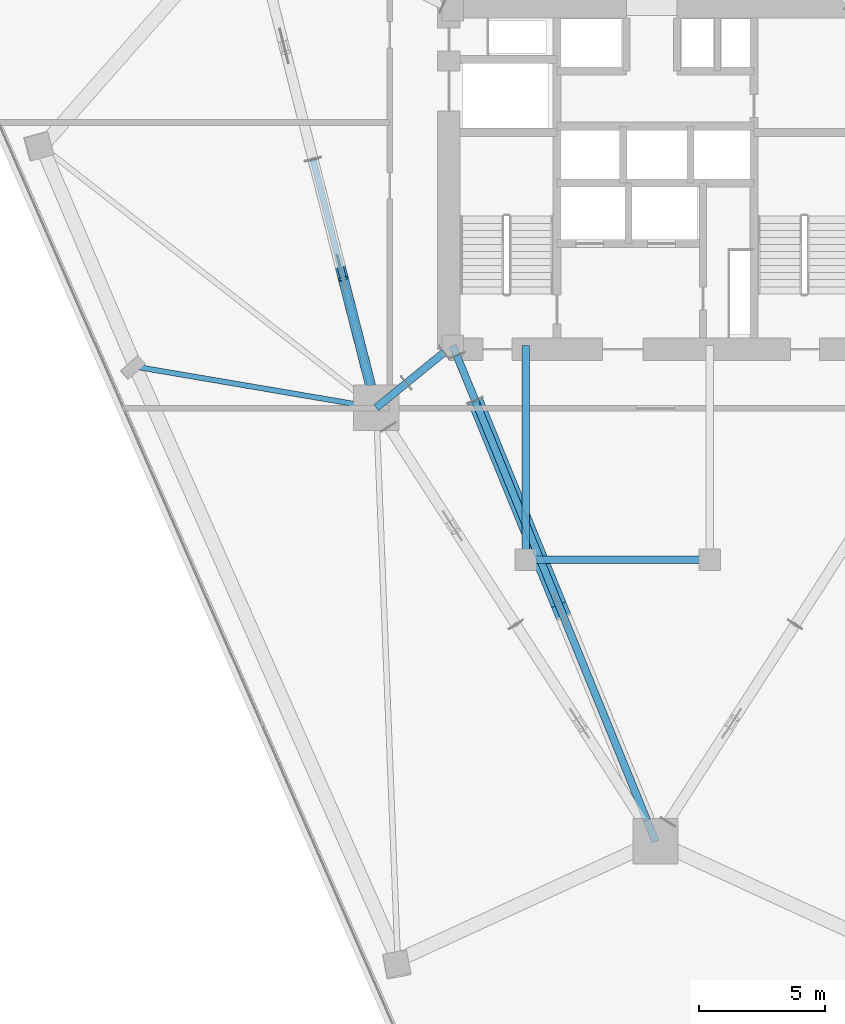
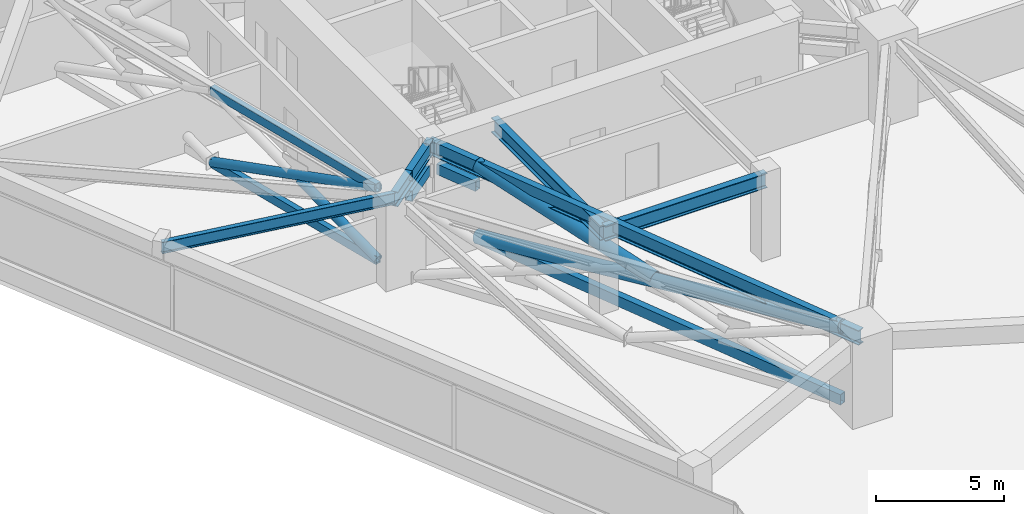
# One storey, part 7 of 20: 12 members, 5 beams.
"""IFC4 building model written with IfcOpenShell, lengths in metres."""

from ifc_helpers import new_model, si_unit, direction, frame, origin, origin_2d, place, context, subcontext, project, spatial, hollow_rectangle, hollow_circle, i_section, extrude, material, material_profile, profile_set, type_object, element, save


model = new_model("IFC4")

# Units and contexts
model_context = context("Model", 3, precision=1e-05, world=origin(), true_north=direction((0.0, 1.0)))
body_context = subcontext(model_context, "Body", "Model", "MODEL_VIEW")
ifc_project = project(units=[si_unit("LENGTHUNIT", "METRE"), si_unit("AREAUNIT", "SQUARE_METRE"), si_unit("VOLUMEUNIT", "CUBIC_METRE"), si_unit("PLANEANGLEUNIT", "RADIAN"), si_unit("MASSUNIT", "GRAM", prefix="KILO")], contexts=[model_context])

# Site, building, storey
site_placement = place(None, origin())
site = spatial("IfcSite", under=ifc_project, at=site_placement, CompositionType="ELEMENT")
building_placement = place(site_placement, origin())
building = spatial("IfcBuilding", under=site, at=building_placement, Name="Talyreon Biosciences Tower", CompositionType="ELEMENT")
storey_placement = place(building_placement, frame((0.0, 0.0, 70.800048828125)))
storey = spatial("IfcBuildingStorey", under=building, at=storey_placement, Name="L18", CompositionType="ELEMENT", Elevation=70.800048828125)

# Members
ifc_material = material(Name="Steel SM355", Category="steel")
ifc_material_profile_1 = material_profile(ifc_material, hollow_circle(Radius=0.203125, WallThickness=0.01611328125, at=origin_2d()), Name="CHS 406.4x16")
ifc_profile_set_1 = profile_set([ifc_material_profile_1], Name="Steel SM355")
member_type_1 = type_object("IfcMemberType", Name="BeltBrace_CHS406", PredefinedType="BRACE", material=ifc_profile_set_1)
member_1_placement = place(storey_placement, frame((52.40576171875, 68.739501953125, 0.239990234375), z_axis=(0.23115197416, -0.908668937551, 0.347691712255), x_axis=(0.969134278925, 0.246533465097, 0.0)))
element("IfcMember", 1, at=member_1_placement, inside=storey, type_object=member_type_1, Name="L18 Continuous Diagonal BELT-L18-B5S2A", PredefinedType="BRACE", context=body_context, shape_type="SweptSolid", body=[
    extrude(hollow_circle(Radius=0.203125, WallThickness=0.01611328125, at=origin_2d()), origin(), (0.0, 0.0, 1.0), 9.879638671875),
])
member_2_placement = place(storey_placement, frame((54.689453125, 59.76220703125, 0.239990234375), z_axis=(-0.231151139103, 0.90867755136, 0.347669755006), x_axis=(-0.969135050079, -0.246530433634, 0.0)))
element("IfcMember", 2, at=member_2_placement, inside=storey, type_object=member_type_1, Name="L18 Split Diagonal BELT-L18-B5S2B-Lower", PredefinedType="BRACE", context=body_context, shape_type="SweptSolid", body=[
    extrude(hollow_circle(Radius=0.203125, WallThickness=0.01611328125, at=origin_2d()), origin(), (0.0, 0.0, 1.0), 4.659912109375),
])
ifc_material_profile_2 = material_profile(ifc_material, hollow_rectangle(XDim=0.25, YDim=0.39990234375, WallThickness=0.01611328125, at=origin_2d()), Name="RHS 400x250x16")
ifc_profile_set_2 = profile_set([ifc_material_profile_2], Name="Steel SM355")
member_type_2 = type_object("IfcMemberType", Name="BeltChord_RHS400x250", PredefinedType="CHORD", material=ifc_profile_set_2)
for number, where, z_axis, x_axis, name in (
    (3, (52.40576171875, 68.739501953125, 0.239990234375), (0.246533465097, -0.969134278925, 0.0), (0.969134278925, 0.246533465097, 0.0), "L18 Truss Bottom Chord BELT-L18-B5S2"),
    (4, (52.40576171875, 68.739501953125, 3.675048828125), (0.246533465097, -0.969134278925, 0.0), (0.969134278925, 0.246533465097, 0.0), "L18 Truss Top Chord BELT-L18-B5S2"),
):
    element("IfcMember", number, at=place(storey_placement, frame(where, z_axis=z_axis, x_axis=x_axis)), inside=storey, type_object=member_type_2, Name=name, PredefinedType="CHORD", context=body_context, shape_type="SweptSolid", body=[
        extrude(hollow_rectangle(XDim=0.25, YDim=0.39990234375, WallThickness=0.01611328125, at=origin_2d()), origin(), (0.0, 0.0, 1.0), 9.26318359375),
    ])
ifc_material_profile_3 = material_profile(ifc_material, hollow_circle(Radius=0.304931640625, WallThickness=0.02490234375, at=origin_2d()), Name="CHS 610x25")
ifc_profile_set_3 = profile_set([ifc_material_profile_3], Name="Steel SM355")
member_type_3 = type_object("IfcMemberType", Name="OutriggerBrace_CHS610", PredefinedType="BRACE", material=ifc_profile_set_3)
member_3_placement = place(storey_placement, frame((58.839599609375, 59.1748046875, 0.239990234375), z_axis=(0.371840930759, -0.909184240114, 0.187398878708), x_axis=(0.925581942334, 0.378547312796, 0.0)))
element("IfcMember", 5, at=member_3_placement, inside=storey, type_object=member_type_3, Name="L18 Continuous Diagonal OUT-L18-R1A", PredefinedType="BRACE", context=body_context, shape_type="SweptSolid", body=[
    extrude(hollow_circle(Radius=0.304931640625, WallThickness=0.02490234375, at=origin_2d()), origin(), (0.0, 0.0, 1.0), 18.330078125),
])
member_4_placement = place(storey_placement, frame((62.1435546875, 51.0966796875, 2.010009765625), z_axis=(-0.37185444801, 0.909179042027, 0.18739727595), x_axis=(-0.925576362378, -0.378560955998, 0.0)))
element("IfcMember", 6, at=member_4_placement, inside=storey, type_object=member_type_3, Name="L18 Split Diagonal OUT-L18-R1B-Upper", PredefinedType="BRACE", context=body_context, shape_type="SweptSolid", body=[
    extrude(hollow_circle(Radius=0.304931640625, WallThickness=0.02490234375, at=origin_2d()), origin(), (0.0, 0.0, 1.0), 8.885009765625),
])
ifc_material_profile_4 = material_profile(ifc_material, hollow_rectangle(XDim=0.300048828125, YDim=0.5, WallThickness=0.02001953125, at=origin_2d()), Name="RHS 500x300x20")
ifc_profile_set_4 = profile_set([ifc_material_profile_4], Name="Steel SM355")
member_type_4 = type_object("IfcMemberType", Name="OutriggerChord_RHS500x300", PredefinedType="CHORD", material=ifc_profile_set_4)
for number, where, z_axis, x_axis, name in (
    (7, (58.11474609375, 60.947509765625, 3.675048828125), (0.378478965696, -0.925609892193, 0.0), (0.925609892193, 0.378478965696, 0.0), "L18 Outrigger Core Top Tie 1"),
    (8, (58.11474609375, 60.947509765625, 2.699951171875), (0.378478965696, -0.925609892193, 0.0), (0.925609892193, 0.378478965696, 0.0), "L18 Outrigger Core Plenum Tie 1"),
):
    element("IfcMember", number, at=place(storey_placement, frame(where, z_axis=z_axis, x_axis=x_axis)), inside=storey, type_object=member_type_4, Name=name, PredefinedType="CHORD", context=body_context, shape_type="SweptSolid", body=[
        extrude(hollow_rectangle(XDim=0.300048828125, YDim=0.5, WallThickness=0.02001953125, at=origin_2d()), origin(), (0.0, 0.0, 1.0), 1.915283203125),
    ])
for number, where, z_axis, x_axis, name in (
    (9, (58.839599609375, 59.1748046875, 0.239990234375), (0.378547312796, -0.925581942334, 0.0), (0.925581942334, 0.378547312796, 0.0), "L18 Truss Bottom Chord OUT-L18-R1"),
    (10, (58.839599609375, 59.1748046875, 3.675048828125), (0.378547312796, -0.925581942334, 0.0), (0.925581942334, 0.378547312796, 0.0), "L18 Truss Top Chord OUT-L18-R1"),
):
    element("IfcMember", number, at=place(storey_placement, frame(where, z_axis=z_axis, x_axis=x_axis)), inside=storey, type_object=member_type_4, Name=name, PredefinedType="CHORD", context=body_context, shape_type="SweptSolid", body=[
        extrude(hollow_rectangle(XDim=0.300048828125, YDim=0.5, WallThickness=0.02001953125, at=origin_2d()), origin(), (0.0, 0.0, 1.0), 18.00537109375),
    ])
for number, where, z_axis, x_axis, name in (
    (11, (57.612548828125, 61.075439453125, 3.675048828125), (-0.775805820068, -0.63097173435, 0.0), (0.63097173435, -0.775805820068, 0.0), "L18 Outrigger Core Top Tie 6"),
    (12, (57.612548828125, 61.075439453125, 2.699951171875), (-0.775805820068, -0.63097173435, 0.0), (0.63097173435, -0.775805820068, 0.0), "L18 Outrigger Core Plenum Tie 6"),
):
    element("IfcMember", number, at=place(storey_placement, frame(where, z_axis=z_axis, x_axis=x_axis)), inside=storey, type_object=member_type_4, Name=name, PredefinedType="CHORD", context=body_context, shape_type="SweptSolid", body=[
        extrude(hollow_rectangle(XDim=0.300048828125, YDim=0.5, WallThickness=0.02001953125, at=origin_2d()), origin(), (0.0, 0.0, 1.0), 1.914794921875),
    ])

# Beams
ifc_material_profile_5 = material_profile(ifc_material, i_section(OverallWidth=0.300048828125, OverallDepth=0.699951171875, WebThickness=0.01708984375, FlangeThickness=0.031982421875, FilletRadius=0.027099609375, at=origin_2d()), Name="HE700B")
ifc_profile_set_5 = profile_set([ifc_material_profile_5], Name="Steel SM355")
beam_type_1 = type_object("IfcBeamType", Name="SteelGirder_HE700B", PredefinedType="BEAM", material=ifc_profile_set_5)
beam_1_placement = place(storey_placement, frame((57.949951171875, 61.35009765625, 3.574951171875), z_axis=(0.378547014545, -0.925582064314, 0.0), x_axis=(0.925582064314, 0.378547014545, 0.0)))
element("IfcBeam", 13, at=beam_1_placement, inside=storey, type_object=beam_type_1, Name="L18 Radial Primary Girder 1", PredefinedType="BEAM", context=body_context, shape_type="SweptSolid", body=[
    extrude(i_section(OverallWidth=0.300048828125, OverallDepth=0.699951171875, WebThickness=0.01708984375, FlangeThickness=0.031982421875, FilletRadius=0.027099609375, at=origin_2d()), origin(), (0.0, 0.0, 1.0), 21.265625),
])
beam_2_placement = place(storey_placement, frame((57.949951171875, 61.35009765625, 3.574951171875), z_axis=(-0.775755154013, -0.631034025249, 0.0), x_axis=(0.631034025249, -0.775755154013, 0.0)))
element("IfcBeam", 14, at=beam_2_placement, inside=storey, type_object=beam_type_1, Name="L18 Radial Primary Girder 6", PredefinedType="BEAM", context=body_context, shape_type="SweptSolid", body=[
    extrude(i_section(OverallWidth=0.300048828125, OverallDepth=0.699951171875, WebThickness=0.01708984375, FlangeThickness=0.031982421875, FilletRadius=0.027099609375, at=origin_2d()), origin(), (0.0, 0.0, 1.0), 3.913818359375),
])
beam_3_placement = place(storey_placement, frame((60.85009765625, 52.840087890625, 3.574951171875), z_axis=(1.0, 0.0, 0.0), x_axis=(0.0, 1.0, 0.0)))
element("IfcBeam", 15, at=beam_3_placement, inside=storey, type_object=beam_type_1, Name="L18 Crown Shaft Spine Girder S", PredefinedType="BEAM", context=body_context, shape_type="SweptSolid", body=[
    extrude(i_section(OverallWidth=0.300048828125, OverallDepth=0.699951171875, WebThickness=0.01708984375, FlangeThickness=0.031982421875, FilletRadius=0.027099609375, at=origin_2d()), origin(), (0.0, 0.0, 1.0), 7.2998046875),
])
beam_4_placement = place(storey_placement, frame((60.85009765625, 52.840087890625, 3.574951171875), z_axis=(0.0, 1.0, 0.0), x_axis=(-1.0, 0.0, 0.0)))
element("IfcBeam", 16, at=beam_4_placement, inside=storey, type_object=beam_type_1, Name="L18 Crown Shaft Tie Girder W", PredefinedType="BEAM", context=body_context, shape_type="SweptSolid", body=[
    extrude(i_section(OverallWidth=0.300048828125, OverallDepth=0.699951171875, WebThickness=0.01708984375, FlangeThickness=0.031982421875, FilletRadius=0.027099609375, at=origin_2d()), origin(), (0.0, 0.0, 1.0), 8.510009765625),
])
ifc_material_profile_6 = material_profile(ifc_material, i_section(OverallWidth=0.2099609375, OverallDepth=0.550048828125, WebThickness=0.010986328125, FlangeThickness=0.01708984375, FilletRadius=0.02392578125, at=origin_2d()), Name="IPE550")
ifc_profile_set_6 = profile_set([ifc_material_profile_6], Name="Steel SM355")
beam_type_2 = type_object("IfcBeamType", Name="SteelJoist_IPE550", PredefinedType="JOIST", material=ifc_profile_set_6)
beam_5_placement = place(storey_placement, frame((54.913818359375, 58.88037109375, 3.64990234375), z_axis=(-0.985814786798, 0.16783684378, 0.0), x_axis=(-0.16783684378, -0.985814786798, 0.0)))
element("IfcBeam", 17, at=beam_5_placement, inside=storey, type_object=beam_type_2, Name="L18 Radial Composite Floor Joist PL-SW", PredefinedType="JOIST", context=body_context, shape_type="SweptSolid", body=[
    extrude(i_section(OverallWidth=0.2099609375, OverallDepth=0.550048828125, WebThickness=0.010986328125, FlangeThickness=0.01708984375, FilletRadius=0.02392578125, at=origin_2d()), origin(), (0.0, 0.0, 1.0), 9.693603515625),
])

save(model, "model.ifc")
